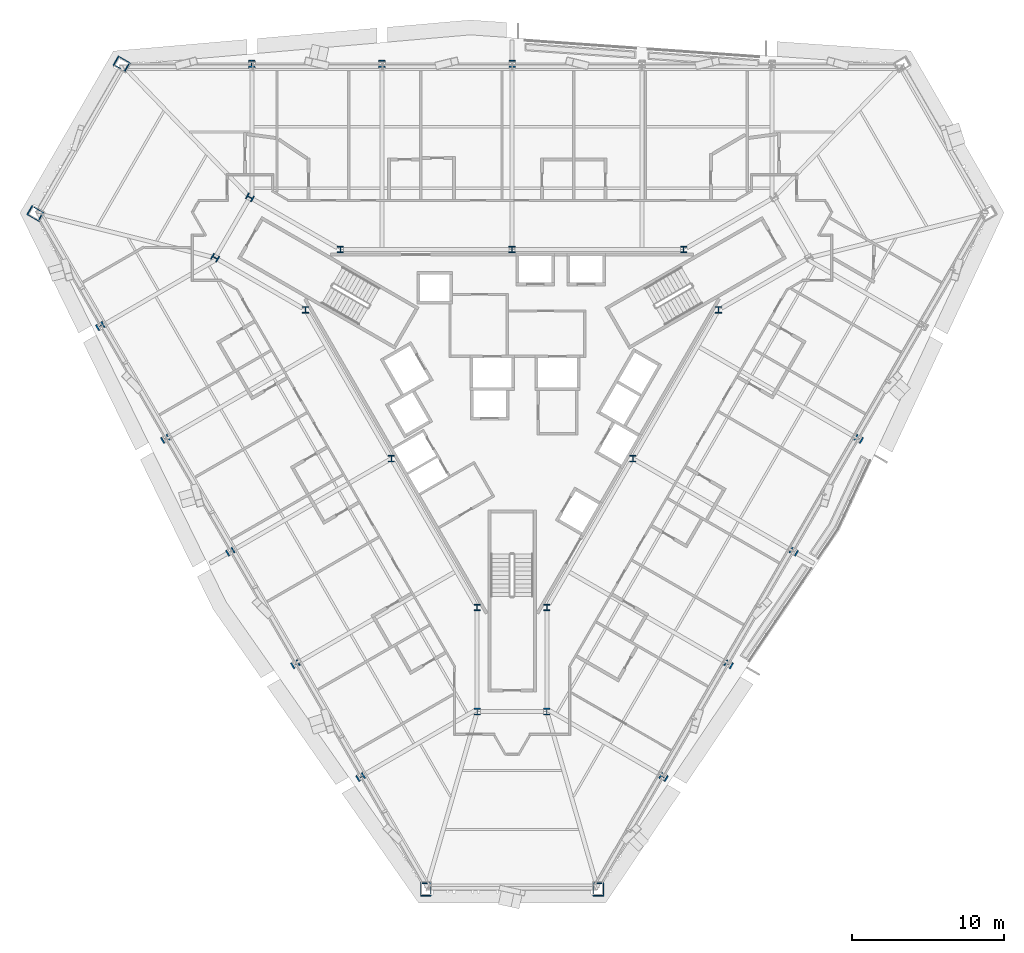
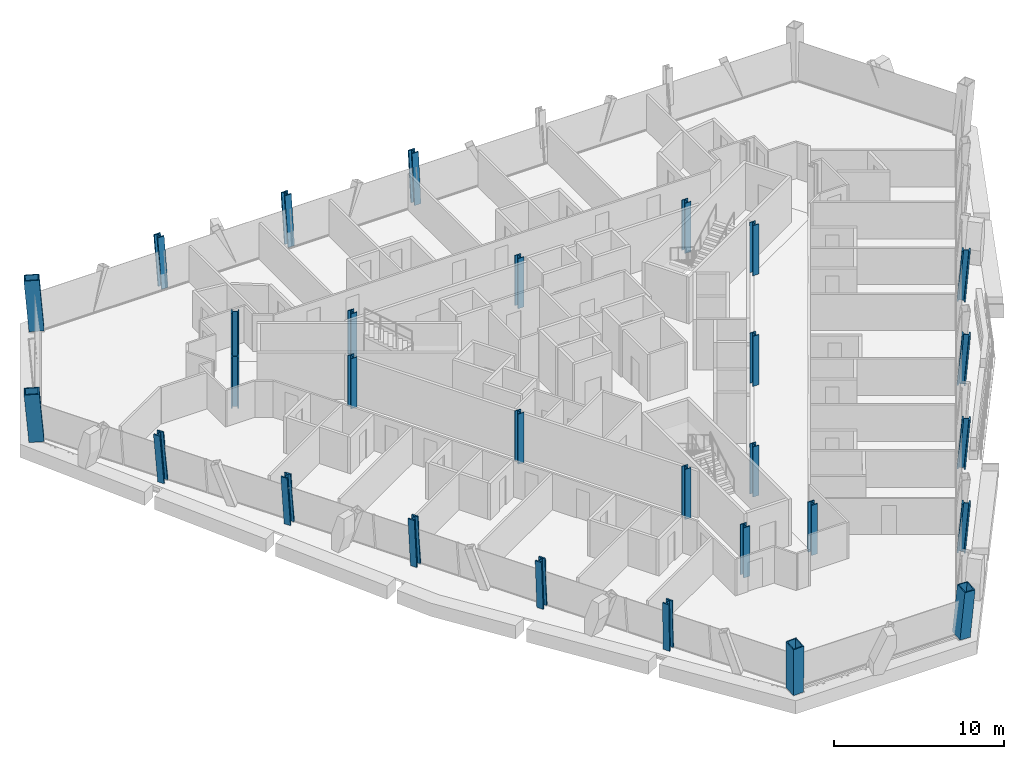
# One storey, part 1 of 15: 29 columns.
"""IFC4 building model written with IfcOpenShell, lengths in metres."""

import ifcopenshell
import ifcopenshell.guid

model = None  # the IFC model being written
_history = None  # IfcOwnerHistory: only IFC2X3 demands one
_inside = {}  # id of a spatial element -> (the spatial element, [elements in it])
_under = {}  # id of a project, library or spatial element -> (it, [spatial elements below it])
_declared = {}  # id of a project -> (the project, [libraries it declares])
_typed = {}  # id of a type object -> (the type object, [elements of that type])
_made_of = {}  # id of a material, layer set ... -> (it, [elements and type objects made of it])


def new_model(schema):
    """Start an empty IFC model of exactly this schema.

    Asked for "IFC4X3", IfcOpenShell would pick the latest addendum, in which some entities
    have other attributes; the version numbers below select the first issue.
    IFC2X3 requires an IfcOwnerHistory on every rooted entity: one is made here for all.
    """
    global model, _history
    if schema == "IFC4X3":
        model = ifcopenshell.file(schema_version=(4, 3, 0, 0))
    else:
        model = ifcopenshell.file(schema=schema)
    _inside.clear()
    _under.clear()
    _declared.clear()
    _typed.clear()
    _made_of.clear()
    _history = None
    if model.schema == "IFC2X3":
        org = make("IfcOrganization", Name="unknown")
        user = make(
            "IfcPersonAndOrganization",
            ThePerson=make("IfcPerson", FamilyName="unknown"),
            TheOrganization=org,
        )
        app = make(
            "IfcApplication",
            ApplicationDeveloper=org,
            Version="unknown",
            ApplicationFullName="unknown",
            ApplicationIdentifier="unknown",
        )
        _history = make(
            "IfcOwnerHistory",
            OwningUser=user,
            OwningApplication=app,
            ChangeAction="ADDED",
            CreationDate=0,
        )
    return model


def make(cls, **values):
    """One entity of the class cls with the attributes given. An attribute that is None is left unset."""
    return model.create_entity(
        cls, **{name: value for name, value in values.items() if value is not None}
    )


def rooted(cls, **values):
    """An entity with a GlobalId (a new one), such as an element, a storey or a relation."""
    return make(cls, GlobalId=ifcopenshell.guid.new(), OwnerHistory=_history, **values)


def si_unit(unit_type, name, prefix=None):
    """IfcSIUnit, for example si_unit("LENGTHUNIT", "METRE", prefix="MILLI")."""
    return make("IfcSIUnit", UnitType=unit_type, Prefix=prefix, Name=name)


def assignment(units):
    """IfcUnitAssignment: the units of a project."""
    return None if units is None else make("IfcUnitAssignment", Units=units)


def point(xyz):
    """IfcCartesianPoint."""
    return None if xyz is None else make("IfcCartesianPoint", Coordinates=xyz)


def direction(xyz):
    """IfcDirection."""
    return None if xyz is None else make("IfcDirection", DirectionRatios=xyz)


def frame(location, z_axis=None, x_axis=None):
    """IfcAxis2Placement3D, a coordinate frame: its origin and axes. An axis left out is left unset."""
    return make(
        "IfcAxis2Placement3D",
        Location=point(location),
        Axis=direction(z_axis),
        RefDirection=direction(x_axis),
    )


def frame_2d(location, x_axis=None):
    """IfcAxis2Placement2D, a coordinate frame in the plane: its origin and x axis."""
    return make(
        "IfcAxis2Placement2D", Location=point(location), RefDirection=direction(x_axis)
    )


def origin():
    """The frame at (0, 0, 0) with its axes left unset."""
    return frame((0.0, 0.0, 0.0))


def origin_2d():
    """The frame at (0, 0) in the plane with its x axis left unset."""
    return frame_2d((0.0, 0.0))


def place(relative_to, where):
    """IfcLocalPlacement: puts the frame where relative to a parent placement (None: the world)."""
    return make(
        "IfcLocalPlacement", PlacementRelTo=relative_to, RelativePlacement=where
    )


def context(
    kind, dimensions, precision=None, world=None, true_north=None, identifier=None
):
    """IfcGeometricRepresentationContext, for example the 3D "Model" context."""
    return make(
        "IfcGeometricRepresentationContext",
        ContextIdentifier=identifier,
        ContextType=kind,
        CoordinateSpaceDimension=dimensions,
        Precision=precision,
        WorldCoordinateSystem=world,
        TrueNorth=true_north,
    )


def subcontext(parent, identifier, kind, view, scale=None):
    """IfcGeometricRepresentationSubContext, for example "Body" below "Model"."""
    return make(
        "IfcGeometricRepresentationSubContext",
        ContextIdentifier=identifier,
        ContextType=kind,
        ParentContext=parent,
        TargetScale=scale,
        TargetView=view,
    )


def project(units=None, contexts=None):
    """IfcProject with its units and contexts."""
    return rooted(
        "IfcProject",
        Name="project",
        RepresentationContexts=contexts,
        UnitsInContext=assignment(units),
    )


def spatial(cls, under=None, at=None, **own):
    """A site, building, storey or space (cls), placed at a placement, below another one or the project."""
    s = rooted(cls, ObjectPlacement=at, **own)
    if under is not None:
        _under.setdefault(under.id(), (under, []))[1].append(s)
    return s


def profile(cls, at=None, kind="AREA", **sizes):
    """A parametric profile (cls). Its sizes go by their IFC names, for example OverallWidth=200.0."""
    return make(cls, ProfileType=kind, Position=at, **sizes)


def hollow_rectangle(**sizes):
    """IfcRectangleHollowProfileDef."""
    return profile("IfcRectangleHollowProfileDef", **sizes)


def i_section(**sizes):
    """IfcIShapeProfileDef."""
    return profile("IfcIShapeProfileDef", **sizes)


def extrude(swept, where, along, depth):
    """IfcExtrudedAreaSolid: the profile swept, set in the frame where, extruded along a direction by depth."""
    return make(
        "IfcExtrudedAreaSolid",
        SweptArea=swept,
        Position=where,
        ExtrudedDirection=direction(along),
        Depth=depth,
    )


def shape(context_of_items, identifier, shape_type, items):
    """IfcShapeRepresentation: the items that make up one representation, for example the "Body"."""
    return make(
        "IfcShapeRepresentation",
        ContextOfItems=context_of_items,
        RepresentationIdentifier=identifier,
        RepresentationType=shape_type,
        Items=items,
    )


def material(Name=None, Category=None):
    """IfcMaterial."""
    return make("IfcMaterial", Name=Name, Category=Category)


def material_profile(
    of_material, cross_section, Name=None, Category=None, Priority=None
):
    """IfcMaterialProfile: a cross section and its material."""
    return make(
        "IfcMaterialProfile",
        Name=Name,
        Material=of_material,
        Profile=cross_section,
        Priority=Priority,
        Category=Category,
    )


def profile_set(profiles, Name=None, composite=None):
    """IfcMaterialProfileSet."""
    return make(
        "IfcMaterialProfileSet",
        Name=Name,
        MaterialProfiles=profiles,
        CompositeProfile=composite,
    )


def made_of(thing, what):
    """Note that an element or type object is made of a material, layer set ...; save() writes the relation."""
    if what is not None:
        _made_of.setdefault(what.id(), (what, []))[1].append(thing)
    return thing


def type_object(cls, material=None, **own):
    """A type object (cls), such as IfcWallType, which elements share."""
    return made_of(rooted(cls, **own), material)


def element(
    cls,
    number,
    at=None,
    inside=None,
    cuts=None,
    type_object=None,
    material=None,
    context=None,
    identifier="Body",
    shape_type=None,
    held_by="IfcProductDefinitionShape",
    body=None,
    shapes=None,
    **own,
):
    """One element of the class cls, such as IfcWall. Its Tag is "e" and its number.

    at: its placement. inside: the storey or other place that contains it. cuts: it is an
    opening in that element (IfcRelVoidsElement). A single representation is given by context,
    identifier, shape_type and body (its items); several are given by shapes. held_by: the class
    of the entity that holds the representations. save() writes the other relations.
    """
    e = rooted(cls, Tag="e%d" % number, ObjectPlacement=at, **own)
    if body is not None:
        shapes = [shape(context, identifier, shape_type, body)]
    if shapes is not None:
        e.Representation = make(held_by, Representations=shapes)
    if inside is not None:
        _inside.setdefault(inside.id(), (inside, []))[1].append(e)
    if cuts is not None:
        rooted(
            "IfcRelVoidsElement", RelatingBuildingElement=cuts, RelatedOpeningElement=e
        )
    if type_object is not None:
        _typed.setdefault(type_object.id(), (type_object, []))[1].append(e)
    return made_of(e, material)


def aggregate(whole, parts):
    """IfcRelAggregates: a whole, such as a stair, and the parts it consists of."""
    return rooted("IfcRelAggregates", RelatingObject=whole, RelatedObjects=parts)


def save(model, path):
    """Write the relations noted so far, then the file.

    IfcRelAggregates (storeys below a building ...), IfcRelContainedInSpatialStructure (elements
    in a storey), IfcRelDefinesByType, IfcRelAssociatesMaterial and IfcRelDeclares: one each for
    every whole, place, type object, material and project.
    """
    for whole, parts in _under.values():
        aggregate(whole, parts)
    for where, things in _inside.values():
        rooted(
            "IfcRelContainedInSpatialStructure",
            RelatedElements=things,
            RelatingStructure=where,
        )
    for kind, things in _typed.values():
        rooted("IfcRelDefinesByType", RelatedObjects=things, RelatingType=kind)
    for what, things in _made_of.values():
        rooted("IfcRelAssociatesMaterial", RelatedObjects=things, RelatingMaterial=what)
    for by, libraries in _declared.values():
        rooted("IfcRelDeclares", RelatingContext=by, RelatedDefinitions=libraries)
    model.write(path)


model = new_model("IFC4")

# Units and contexts
model_context = context("Model", 3, precision=1e-05, world=origin(), true_north=direction((0.0, 1.0)))
body_context = subcontext(model_context, "Body", "Model", "MODEL_VIEW")
ifc_project = project(units=[si_unit("LENGTHUNIT", "METRE"), si_unit("AREAUNIT", "SQUARE_METRE"), si_unit("VOLUMEUNIT", "CUBIC_METRE"), si_unit("PLANEANGLEUNIT", "RADIAN"), si_unit("MASSUNIT", "GRAM", prefix="KILO")], contexts=[model_context])

# Site, building, storey
site_placement = place(None, origin())
site = spatial("IfcSite", under=ifc_project, at=site_placement, CompositionType="ELEMENT")
building_placement = place(site_placement, origin())
building = spatial("IfcBuilding", under=site, at=building_placement, Name="Verrane Prism Tower", CompositionType="ELEMENT")
storey_placement = place(building_placement, frame((0.0, 0.0, 72.800048828125)))
storey = spatial("IfcBuildingStorey", under=building, at=storey_placement, Name="L16", CompositionType="ELEMENT", Elevation=72.800048828125)

# Columns
ifc_material_1 = material(Name="Steel A992", Category="steel")
ifc_material_profile_1 = material_profile(ifc_material_1, i_section(OverallWidth=0.419189453125, OverallDepth=0.45458984375, WebThickness=0.042236328125, FlangeThickness=0.067626953125, FilletRadius=0.01513671875, at=origin_2d()), Name="W14x370")
ifc_profile_set_1 = profile_set([ifc_material_profile_1], Name="Steel A992")
column_type_1 = type_object("IfcColumnType", Name="Core corner column W14x370", PredefinedType="COLUMN", material=ifc_profile_set_1)
for number, where, z_axis, x_axis, name in (
    (1, (-17.300048828125, 12.639892578125, 0.0), (0.0, 0.0, 1.0), (0.5, 0.866025403784, 0.0), "Core corner column CK-NWm L16"),
    (2, (-19.60009765625, 8.659912109375, 0.0), (0.0, 0.0, 1.0), (0.5, 0.866025403784, 0.0), "Core corner column CK-NWp L16"),
    (3, (-2.300048828125, -21.300048828125, 0.0), (0.0, 0.0, 1.0), (-1.0, 0.0, 0.0), "Core corner column CK-Sm L16"),
    (4, (2.300048828125, -21.300048828125, 0.0), (0.0, 0.0, 1.0), (-1.0, 0.0, 0.0), "Core corner column CK-Sp L16"),
):
    element("IfcColumn", number, at=place(storey_placement, frame(where, z_axis=z_axis, x_axis=x_axis)), inside=storey, type_object=column_type_1, Name=name, PredefinedType="COLUMN", context=body_context, shape_type="SweptSolid", body=[
        extrude(i_section(OverallWidth=0.419189453125, OverallDepth=0.45458984375, WebThickness=0.042236328125, FlangeThickness=0.067626953125, FilletRadius=0.01513671875, at=origin_2d()), origin(), (0.0, 0.0, 1.0), 3.599853515625),
    ])
ifc_material_2 = material(Name="Steel A992", Category="steel")
ifc_material_profile_2 = material_profile(ifc_material_2, i_section(OverallWidth=0.406494140625, OverallDepth=0.41650390625, WebThickness=0.030029296875, FlangeThickness=0.048095703125, FilletRadius=0.01513671875, at=origin_2d()), Name="W14x257")
ifc_profile_set_2 = profile_set([ifc_material_profile_2], Name="Steel A992")
column_type_2 = type_object("IfcColumnType", Name="Core side column W14x257", PredefinedType="COLUMN", material=ifc_profile_set_2)
for number, where, z_axis, x_axis, name in (
    (5, (13.6298828125, 5.219970703125, 0.0), (0.0, 0.0, 1.0), (1.0, 0.0, 0.0), "Core side column CC-NEm L16"),
    (6, (11.330078125, 9.199951171875, 0.0), (0.0, 0.0, 1.0), (1.0, 0.0, 0.0), "Core side column CC-NEp L16"),
    (7, (0.0, 9.199951171875, 0.0), (0.0, 0.0, 1.0), (1.0, 0.0, 0.0), "Core side column CC-N0 L16"),
    (8, (-11.330078125, 9.199951171875, 0.0), (0.0, 0.0, 1.0), (1.0, 0.0, 0.0), "Core side column CC-NWm L16"),
    (9, (-13.6298828125, 5.219970703125, 0.0), (0.0, 0.0, 1.0), (1.0, 0.0, 0.0), "Core side column CC-NWp L16"),
    (10, (-7.969970703125, -4.60009765625, 0.0), (0.0, 0.0, 1.0), (1.0, 0.0, 0.0), "Core side column CC-SW0 L16"),
    (11, (-2.300048828125, -14.419921875, 0.0), (0.0, 0.0, 1.0), (1.0, 0.0, 0.0), "Core side column CC-Sm L16"),
    (12, (2.300048828125, -14.419921875, 0.0), (0.0, 0.0, 1.0), (1.0, 0.0, 0.0), "Core side column CC-Sp L16"),
    (13, (7.969970703125, -4.60009765625, 0.0), (0.0, 0.0, 1.0), (1.0, 0.0, 0.0), "Core side column CC-SE0 L16"),
):
    element("IfcColumn", number, at=place(storey_placement, frame(where, z_axis=z_axis, x_axis=x_axis)), inside=storey, type_object=column_type_2, Name=name, PredefinedType="COLUMN", context=body_context, shape_type="SweptSolid", body=[
        extrude(i_section(OverallWidth=0.406494140625, OverallDepth=0.41650390625, WebThickness=0.030029296875, FlangeThickness=0.048095703125, FilletRadius=0.01513671875, at=origin_2d()), origin(), (0.0, 0.0, 1.0), 3.599853515625),
    ])
ifc_material_3 = material(Name="Steel A572 Grade 50", Category="steel")
ifc_material_profile_3 = material_profile(ifc_material_3, hollow_rectangle(XDim=0.699951171875, YDim=0.89990234375, WallThickness=0.06494140625, at=origin_2d()), Name="BOX 900x700x65")
ifc_profile_set_3 = profile_set([ifc_material_profile_3], Name="Steel A572 Grade 50")
column_type_3 = type_object("IfcColumnType", Name="Megacolumn BOX 900x700x65", PredefinedType="COLUMN", material=ifc_profile_set_3)
column_1_placement = place(storey_placement, frame((-25.721923828125, 21.373291015625, 0.0400390625), z_axis=(-0.049772291919, 0.082976830634, 0.995307773774), x_axis=(0.499550777014, 0.86500147592, -0.047132449981)))
element("IfcColumn", 14, at=column_1_placement, inside=storey, type_object=column_type_3, Name="Megacolumn MC-NW.a L16", PredefinedType="COLUMN", context=body_context, shape_type="SweptSolid", body=[
    extrude(hollow_rectangle(XDim=0.699951171875, YDim=0.89990234375, WallThickness=0.06494140625, at=origin_2d()), origin(), (0.0, 0.0, 1.0), 3.53662109375),
])
column_2_placement = place(storey_placement, frame((-31.373779296875, 11.590087890625, 0.0400390625), z_axis=(-0.094046562862, 0.0, 0.995567799808), x_axis=(0.499442771107, 0.865061250551, 0.047179987117)))
element("IfcColumn", 15, at=column_2_placement, inside=storey, type_object=column_type_3, Name="Megacolumn MC-NW.b L16", PredefinedType="COLUMN", context=body_context, shape_type="SweptSolid", body=[
    extrude(hollow_rectangle(XDim=0.699951171875, YDim=0.89990234375, WallThickness=0.06494140625, at=origin_2d()), origin(), (0.0, 0.0, 1.0), 3.53564453125),
])
for number, where, z_axis, x_axis, name in (
    (16, (-5.65185546875, -32.96337890625, 0.0400390625), (-0.047017552032, -0.082919353877, 0.995446498087), (-0.998887434281, 0.000272347172, -0.047157390331), "Megacolumn MC-S.a L16"),
    (17, (5.65185546875, -32.96337890625, 0.0400390625), (0.047017552032, -0.082919353877, 0.995446498087), (-0.998887434281, -0.000272347172, 0.047157390331), "Megacolumn MC-S.b L16"),
):
    element("IfcColumn", number, at=place(storey_placement, frame(where, z_axis=z_axis, x_axis=x_axis)), inside=storey, type_object=column_type_3, Name=name, PredefinedType="COLUMN", context=body_context, shape_type="SweptSolid", body=[
        extrude(hollow_rectangle(XDim=0.699951171875, YDim=0.89990234375, WallThickness=0.06494140625, at=origin_2d()), origin(), (0.0, 0.0, 1.0), 3.5361328125),
    ])
ifc_material_4 = material(Name="Steel A992", Category="steel")
ifc_material_profile_4 = material_profile(ifc_material_4, i_section(OverallWidth=0.431884765625, OverallDepth=0.497802734375, WebThickness=0.0556640625, FlangeThickness=0.0888671875, FilletRadius=0.01513671875, at=origin_2d()), Name="W14x500")
ifc_profile_set_4 = profile_set([ifc_material_profile_4], Name="Steel A992")
column_type_4 = type_object("IfcColumnType", Name="Perimeter column W14x500", PredefinedType="COLUMN", material=ifc_profile_set_4)
column_3_placement = place(storey_placement, frame((0.0, 21.3720703125, 0.02490234375), z_axis=(0.0, 0.083062495034, 0.996544340167), x_axis=(1.0, 0.0, 0.0)))
element("IfcColumn", 18, at=column_3_placement, inside=storey, type_object=column_type_4, Name="Perimeter column PC-N3 L16", PredefinedType="COLUMN", context=body_context, shape_type="SweptSolid", body=[
    extrude(i_section(OverallWidth=0.431884765625, OverallDepth=0.497802734375, WebThickness=0.0556640625, FlangeThickness=0.0888671875, FilletRadius=0.01513671875, at=origin_2d()), origin(), (0.0, 0.0, 1.0), 3.562255859375),
])
column_4_placement = place(storey_placement, frame((-8.5703125, 21.3720703125, 0.02490234375), z_axis=(-0.016651310151, 0.083050979027, 0.996406176593), x_axis=(0.999860944096, 0.000477080894, 0.016669279099)))
element("IfcColumn", 19, at=column_4_placement, inside=storey, type_object=column_type_4, Name="Perimeter column PC-N4 L16", PredefinedType="COLUMN", context=body_context, shape_type="SweptSolid", body=[
    extrude(i_section(OverallWidth=0.431884765625, OverallDepth=0.497802734375, WebThickness=0.0556640625, FlangeThickness=0.0888671875, FilletRadius=0.01513671875, at=origin_2d()), origin(), (0.0, 0.0, 1.0), 3.562744140625),
])
column_5_placement = place(storey_placement, frame((-17.15087890625, 21.3720703125, 0.02490234375), z_axis=(-0.030414757347, 0.083024067354, 0.996083303131), x_axis=(0.999533369763, -0.000291044086, 0.030544361571)))
element("IfcColumn", 20, at=column_5_placement, inside=storey, type_object=column_type_4, Name="Perimeter column PC-N5 L16", PredefinedType="COLUMN", context=body_context, shape_type="SweptSolid", body=[
    extrude(i_section(OverallWidth=0.431884765625, OverallDepth=0.497802734375, WebThickness=0.0556640625, FlangeThickness=0.0888671875, FilletRadius=0.01513671875, at=origin_2d()), origin(), (0.0, 0.0, 1.0), 3.56396484375),
])
column_6_placement = place(storey_placement, frame((-27.082275390625, 4.169677734375, 0.02490234375), z_axis=(-0.088495071019, -0.013835916676, 0.995980516785), x_axis=(-0.499820680913, 0.865523193885, -0.032386537004)))
element("IfcColumn", 21, at=column_6_placement, inside=storey, type_object=column_type_4, Name="Perimeter column PC-SW1 L16", PredefinedType="COLUMN", context=body_context, shape_type="SweptSolid", body=[
    extrude(i_section(OverallWidth=0.431884765625, OverallDepth=0.497802734375, WebThickness=0.0556640625, FlangeThickness=0.0888671875, FilletRadius=0.01513671875, at=origin_2d()), origin(), (0.0, 0.0, 1.0), 3.564453125),
])
column_7_placement = place(storey_placement, frame((-22.7919921875, -3.2607421875, 0.02490234375), z_axis=(-0.080240281001, -0.02768323956, 0.996391055536), x_axis=(-0.500071385104, 0.865832358147, -0.016215344149)))
element("IfcColumn", 22, at=column_7_placement, inside=storey, type_object=column_type_4, Name="Perimeter column PC-SW2 L16", PredefinedType="COLUMN", context=body_context, shape_type="SweptSolid", body=[
    extrude(i_section(OverallWidth=0.431884765625, OverallDepth=0.497802734375, WebThickness=0.0556640625, FlangeThickness=0.0888671875, FilletRadius=0.01513671875, at=origin_2d()), origin(), (0.0, 0.0, 1.0), 3.56298828125),
])
column_8_placement = place(storey_placement, frame((-18.51171875, -10.69091796875, 0.02490234375), z_axis=(-0.07202792121, -0.041599379805, 0.996534731038), x_axis=(-0.500403695, 0.865792204467, -2.6711735e-05)))
element("IfcColumn", 23, at=column_8_placement, inside=storey, type_object=column_type_4, Name="Perimeter column PC-SW3 L16", PredefinedType="COLUMN", context=body_context, shape_type="SweptSolid", body=[
    extrude(i_section(OverallWidth=0.431884765625, OverallDepth=0.497802734375, WebThickness=0.0556640625, FlangeThickness=0.0888671875, FilletRadius=0.01513671875, at=origin_2d()), origin(), (0.0, 0.0, 1.0), 3.5625),
])
column_9_placement = place(storey_placement, frame((-14.2216796875, -18.111328125, 0.02490234375), z_axis=(-0.063660519168, -0.055368890729, 0.996434455566), x_axis=(-0.500027144747, 0.865858806591, 0.01616729924)))
element("IfcColumn", 24, at=column_9_placement, inside=storey, type_object=column_type_4, Name="Perimeter column PC-SW4 L16", PredefinedType="COLUMN", context=body_context, shape_type="SweptSolid", body=[
    extrude(i_section(OverallWidth=0.431884765625, OverallDepth=0.497802734375, WebThickness=0.0556640625, FlangeThickness=0.0888671875, FilletRadius=0.01513671875, at=origin_2d()), origin(), (0.0, 0.0, 1.0), 3.562744140625),
])
for number, where, z_axis, x_axis, name in (
    (25, (-9.931396484375, -25.541748046875, 0.02490234375), (-0.055348484281, -0.069185605351, 0.996067215252), (-0.499738716775, 0.865571791701, 0.032352563542), "Perimeter column PC-SW5 L16"),
    (26, (9.931396484375, -25.541748046875, 0.02490234375), (0.055348484281, -0.069185605351, 0.996067215252), (-0.499738716775, -0.865571791701, -0.032352563542), "Perimeter column PC-SE1 L16"),
):
    element("IfcColumn", number, at=place(storey_placement, frame(where, z_axis=z_axis, x_axis=x_axis)), inside=storey, type_object=column_type_4, Name=name, PredefinedType="COLUMN", context=body_context, shape_type="SweptSolid", body=[
        extrude(i_section(OverallWidth=0.431884765625, OverallDepth=0.497802734375, WebThickness=0.0556640625, FlangeThickness=0.0888671875, FilletRadius=0.01513671875, at=origin_2d()), origin(), (0.0, 0.0, 1.0), 3.56396484375),
    ])
column_10_placement = place(storey_placement, frame((14.2216796875, -18.111328125, 0.02490234375), z_axis=(0.063660519168, -0.055368890729, 0.996434455566), x_axis=(-0.500027144747, -0.865858806591, -0.01616729924)))
element("IfcColumn", 27, at=column_10_placement, inside=storey, type_object=column_type_4, Name="Perimeter column PC-SE2 L16", PredefinedType="COLUMN", context=body_context, shape_type="SweptSolid", body=[
    extrude(i_section(OverallWidth=0.431884765625, OverallDepth=0.497802734375, WebThickness=0.0556640625, FlangeThickness=0.0888671875, FilletRadius=0.01513671875, at=origin_2d()), origin(), (0.0, 0.0, 1.0), 3.562744140625),
])
column_11_placement = place(storey_placement, frame((18.51171875, -10.69091796875, 0.02490234375), z_axis=(0.07202792121, -0.041599379805, 0.996534731038), x_axis=(-0.500403695, -0.865792204467, 2.6711735e-05)))
element("IfcColumn", 28, at=column_11_placement, inside=storey, type_object=column_type_4, Name="Perimeter column PC-SE3 L16", PredefinedType="COLUMN", context=body_context, shape_type="SweptSolid", body=[
    extrude(i_section(OverallWidth=0.431884765625, OverallDepth=0.497802734375, WebThickness=0.0556640625, FlangeThickness=0.0888671875, FilletRadius=0.01513671875, at=origin_2d()), origin(), (0.0, 0.0, 1.0), 3.5625),
])
column_12_placement = place(storey_placement, frame((22.7919921875, -3.2607421875, 0.02490234375), z_axis=(0.080240281001, -0.02768323956, 0.996391055536), x_axis=(-0.500071385104, -0.865832358147, 0.016215344149)))
element("IfcColumn", 29, at=column_12_placement, inside=storey, type_object=column_type_4, Name="Perimeter column PC-SE4 L16", PredefinedType="COLUMN", context=body_context, shape_type="SweptSolid", body=[
    extrude(i_section(OverallWidth=0.431884765625, OverallDepth=0.497802734375, WebThickness=0.0556640625, FlangeThickness=0.0888671875, FilletRadius=0.01513671875, at=origin_2d()), origin(), (0.0, 0.0, 1.0), 3.56298828125),
])

save(model, "model.ifc")
